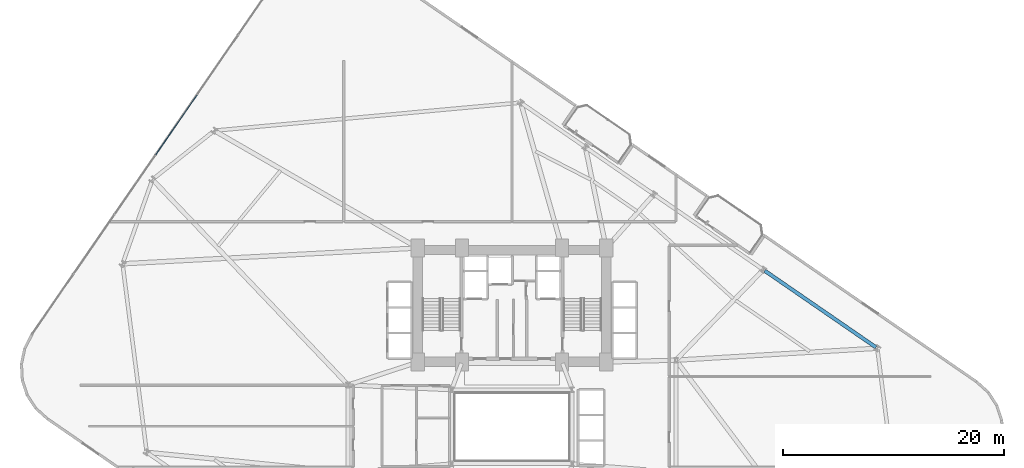
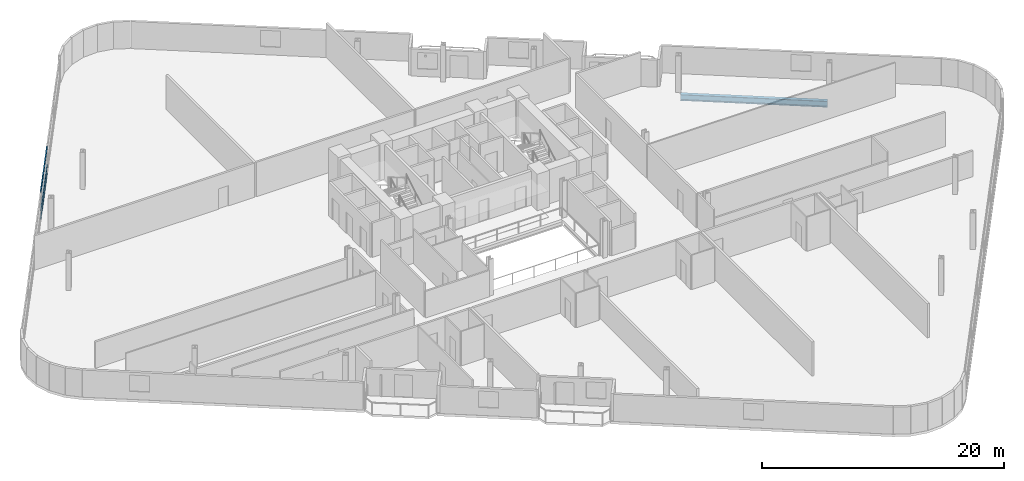
# One storey, part 12 of 24: 3 members, 1 beam, 1 element without a shape of its own.
"""IFC4 building model written with IfcOpenShell, lengths in metres."""

from ifc_helpers import new_model, si_unit, direction, frame, origin, origin_2d, place, context, subcontext, project, spatial, hollow_rectangle, i_section, extrude, material, layer, layer_set, material_profile, profile_set, type_object, element, aggregate, save


model = new_model("IFC4")

# Units and contexts
model_context = context("Model", 3, precision=1e-05, world=origin(), true_north=direction((0.0, 1.0)))
body_context = subcontext(model_context, "Body", "Model", "MODEL_VIEW")
ifc_project = project(units=[si_unit("LENGTHUNIT", "METRE"), si_unit("AREAUNIT", "SQUARE_METRE"), si_unit("VOLUMEUNIT", "CUBIC_METRE"), si_unit("PLANEANGLEUNIT", "RADIAN"), si_unit("MASSUNIT", "GRAM", prefix="KILO")], contexts=[model_context])

# Site, building, storey
site_placement = place(None, origin())
site = spatial("IfcSite", under=ifc_project, at=site_placement, CompositionType="ELEMENT")
building_placement = place(site_placement, origin())
building = spatial("IfcBuilding", under=site, at=building_placement, Name="Varnelok Gate Tower", CompositionType="ELEMENT")
storey_placement = place(building_placement, frame((0.0, 0.0, 41.800048828125)))
storey = spatial("IfcBuildingStorey", under=building, at=storey_placement, Name="L09", CompositionType="ELEMENT", Elevation=41.800048828125)

# Beam
ifc_material_1 = material(Name="Structural Steel ASTM A992 Grade 50", Category="steel")
ifc_material_profile_1 = material_profile(ifc_material_1, i_section(OverallWidth=0.323974609375, OverallDepth=0.611083984375, WebThickness=0.0126953125, FlangeThickness=0.01904296875, FilletRadius=0.01806640625, at=origin_2d()), Name="W24X104")
ifc_profile_set_1 = profile_set([ifc_material_profile_1], Name="Structural Steel ASTM A992 Grade 50")
beam_type = type_object("IfcBeamType", Name="BM-SPN-W24X104", PredefinedType="SPANDREL", material=ifc_profile_set_1)
beam_placement = place(storey_placement, frame((72.06201171875, 30.08251953125, -0.5556640625), z_axis=(-0.823543541425, 0.567253061144, 0.0), x_axis=(-0.567253061144, -0.823543541425, 0.0)))
element("IfcBeam", 1, at=beam_placement, inside=storey, type_object=beam_type, Name="L09 Perimeter Spandrel Beam 9", PredefinedType="SPANDREL", context=body_context, shape_type="SweptSolid", body=[
    extrude(i_section(OverallWidth=0.323974609375, OverallDepth=0.611083984375, WebThickness=0.0126953125, FlangeThickness=0.01904296875, FilletRadius=0.01806640625, at=origin_2d()), origin(), (0.0, 0.0, 1.0), 12.199951171875),
])

# Curtain wall, members
ifc_material_2 = material(Name="Anodized Aluminum Alloy 6063-T6", Category="aluminium")
ifc_layer = layer(ifc_material_2, 0.179931640625)
ifc_layer_set = layer_set([ifc_layer], Name="Anodized Aluminum Alloy 6063-T6")
curtain_wall_type = type_object("IfcCurtainWallType", Name="CW3-HOTEL-VISION", PredefinedType="USERDEFINED", material=ifc_layer_set)
curtain_wall_placement = place(storey_placement, origin())
curtain_wall = element("IfcCurtainWall", 2, at=curtain_wall_placement, inside=storey, type_object=curtain_wall_type, Name="L09 West End Vision Curtain Wall", ObjectType="UNITISED CURTAIN WALL", PredefinedType="USERDEFINED")
ifc_material_profile_2 = material_profile(ifc_material_2, hollow_rectangle(XDim=0.06494140625, YDim=0.159912109375, WallThickness=0.00390625, at=origin_2d()), Name="ALU160X65X4")
ifc_profile_set_2 = profile_set([ifc_material_profile_2], Name="Anodized Aluminum Alloy 6063-T6")
member_type = type_object("IfcMemberType", Name="CW-TRAN-160", PredefinedType="USERDEFINED", material=ifc_profile_set_2)
member_1_placement = place(storey_placement, frame((7.05126953125, 47.484375, 0.032470703125), z_axis=(0.567279204469, 0.823525533409, 0.0), x_axis=(-0.823525533409, 0.567279204469, 0.0)))
member_1 = element("IfcMember", 3, at=member_1_placement, type_object=member_type, Name="CW3 transom 4.1", ObjectType="TRANSOM", PredefinedType="USERDEFINED", context=body_context, shape_type="SweptSolid", body=[
    extrude(hollow_rectangle(XDim=0.06494140625, YDim=0.159912109375, WallThickness=0.00390625, at=origin_2d()), origin(), (0.0, 0.0, 1.0), 6.501708984375),
])
member_2_placement = place(storey_placement, frame((7.05126953125, 47.484375, 0.89990234375), z_axis=(0.567279204469, 0.823525533409, 0.0), x_axis=(-0.823525533409, 0.567279204469, 0.0)))
member_2 = element("IfcMember", 4, at=member_2_placement, type_object=member_type, Name="CW3 transom 4.2", ObjectType="TRANSOM", PredefinedType="USERDEFINED", context=body_context, shape_type="SweptSolid", body=[
    extrude(hollow_rectangle(XDim=0.06494140625, YDim=0.159912109375, WallThickness=0.00390625, at=origin_2d()), origin(), (0.0, 0.0, 1.0), 6.501708984375),
])
member_3_placement = place(storey_placement, frame((7.05126953125, 47.484375, 2.697509765625), z_axis=(0.567279204469, 0.823525533409, 0.0), x_axis=(-0.823525533409, 0.567279204469, 0.0)))
member_3 = element("IfcMember", 5, at=member_3_placement, type_object=member_type, Name="CW3 transom 4.3", ObjectType="TRANSOM", PredefinedType="USERDEFINED", context=body_context, shape_type="SweptSolid", body=[
    extrude(hollow_rectangle(XDim=0.06494140625, YDim=0.159912109375, WallThickness=0.00390625, at=origin_2d()), origin(), (0.0, 0.0, 1.0), 6.501708984375),
])
aggregate(curtain_wall, [member_1, member_2, member_3])

save(model, "model.ifc")
